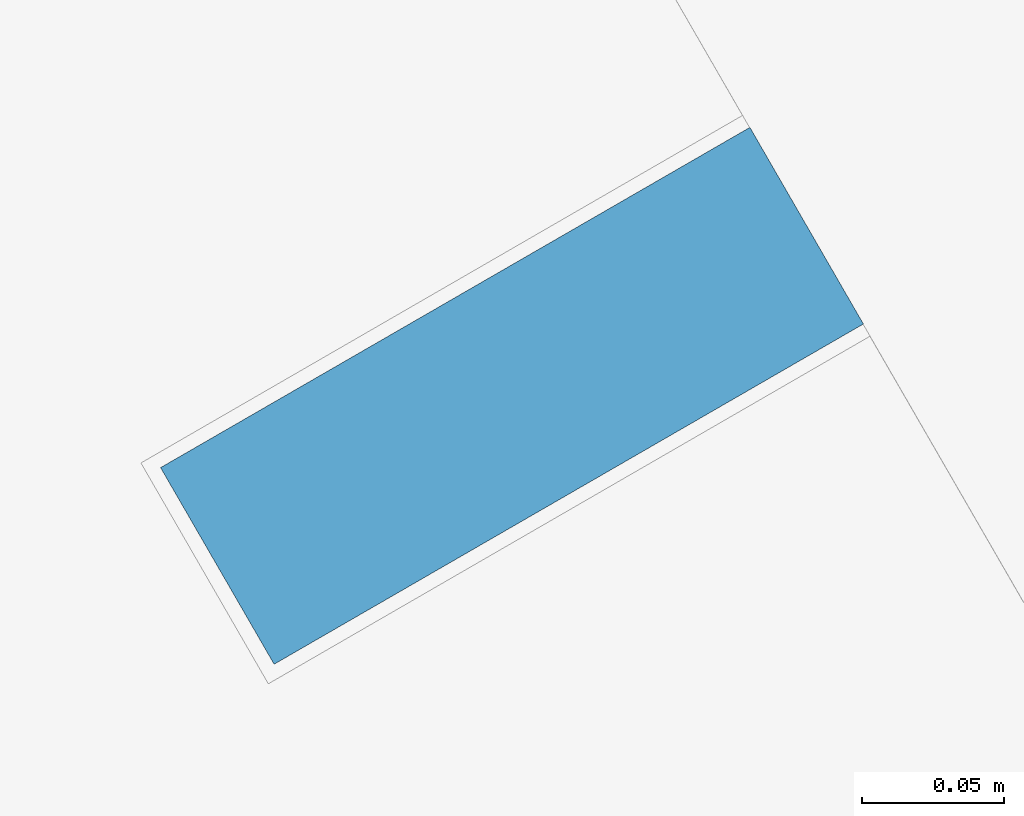
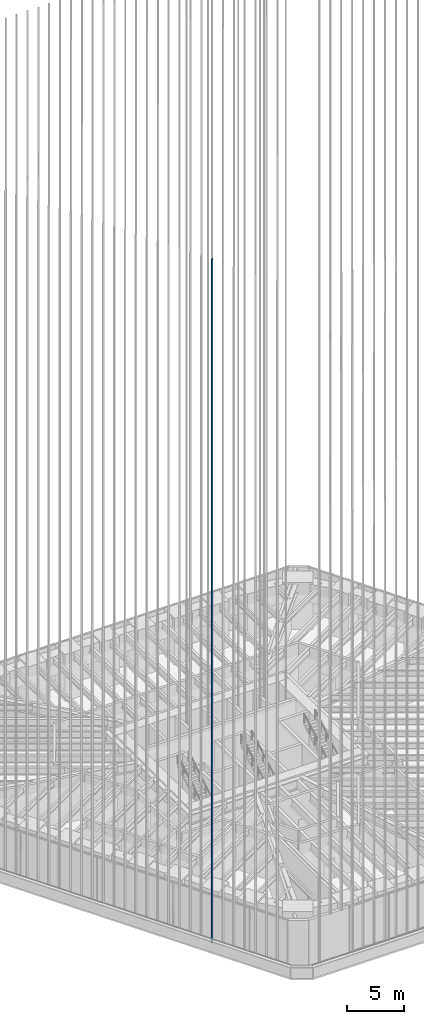
# One storey, part 4 of 228: 1 member, 1 element without a shape of its own.
"""IFC4 building model written with IfcOpenShell, lengths in metres."""

import ifcopenshell
import ifcopenshell.guid

model = None  # the IFC model being written
_history = None  # IfcOwnerHistory: only IFC2X3 demands one
_inside = {}  # id of a spatial element -> (the spatial element, [elements in it])
_under = {}  # id of a project, library or spatial element -> (it, [spatial elements below it])
_declared = {}  # id of a project -> (the project, [libraries it declares])
_typed = {}  # id of a type object -> (the type object, [elements of that type])
_made_of = {}  # id of a material, layer set ... -> (it, [elements and type objects made of it])


def new_model(schema):
    """Start an empty IFC model of exactly this schema.

    Asked for "IFC4X3", IfcOpenShell would pick the latest addendum, in which some entities
    have other attributes; the version numbers below select the first issue.
    IFC2X3 requires an IfcOwnerHistory on every rooted entity: one is made here for all.
    """
    global model, _history
    if schema == "IFC4X3":
        model = ifcopenshell.file(schema_version=(4, 3, 0, 0))
    else:
        model = ifcopenshell.file(schema=schema)
    _inside.clear()
    _under.clear()
    _declared.clear()
    _typed.clear()
    _made_of.clear()
    _history = None
    if model.schema == "IFC2X3":
        org = make("IfcOrganization", Name="unknown")
        user = make(
            "IfcPersonAndOrganization",
            ThePerson=make("IfcPerson", FamilyName="unknown"),
            TheOrganization=org,
        )
        app = make(
            "IfcApplication",
            ApplicationDeveloper=org,
            Version="unknown",
            ApplicationFullName="unknown",
            ApplicationIdentifier="unknown",
        )
        _history = make(
            "IfcOwnerHistory",
            OwningUser=user,
            OwningApplication=app,
            ChangeAction="ADDED",
            CreationDate=0,
        )
    return model


def make(cls, **values):
    """One entity of the class cls with the attributes given. An attribute that is None is left unset."""
    return model.create_entity(
        cls, **{name: value for name, value in values.items() if value is not None}
    )


def rooted(cls, **values):
    """An entity with a GlobalId (a new one), such as an element, a storey or a relation."""
    return make(cls, GlobalId=ifcopenshell.guid.new(), OwnerHistory=_history, **values)


def si_unit(unit_type, name, prefix=None):
    """IfcSIUnit, for example si_unit("LENGTHUNIT", "METRE", prefix="MILLI")."""
    return make("IfcSIUnit", UnitType=unit_type, Prefix=prefix, Name=name)


def assignment(units):
    """IfcUnitAssignment: the units of a project."""
    return None if units is None else make("IfcUnitAssignment", Units=units)


def point(xyz):
    """IfcCartesianPoint."""
    return None if xyz is None else make("IfcCartesianPoint", Coordinates=xyz)


def direction(xyz):
    """IfcDirection."""
    return None if xyz is None else make("IfcDirection", DirectionRatios=xyz)


def frame(location, z_axis=None, x_axis=None):
    """IfcAxis2Placement3D, a coordinate frame: its origin and axes. An axis left out is left unset."""
    return make(
        "IfcAxis2Placement3D",
        Location=point(location),
        Axis=direction(z_axis),
        RefDirection=direction(x_axis),
    )


def frame_2d(location, x_axis=None):
    """IfcAxis2Placement2D, a coordinate frame in the plane: its origin and x axis."""
    return make(
        "IfcAxis2Placement2D", Location=point(location), RefDirection=direction(x_axis)
    )


def origin():
    """The frame at (0, 0, 0) with its axes left unset."""
    return frame((0.0, 0.0, 0.0))


def origin_2d():
    """The frame at (0, 0) in the plane with its x axis left unset."""
    return frame_2d((0.0, 0.0))


def place(relative_to, where):
    """IfcLocalPlacement: puts the frame where relative to a parent placement (None: the world)."""
    return make(
        "IfcLocalPlacement", PlacementRelTo=relative_to, RelativePlacement=where
    )


def context(
    kind, dimensions, precision=None, world=None, true_north=None, identifier=None
):
    """IfcGeometricRepresentationContext, for example the 3D "Model" context."""
    return make(
        "IfcGeometricRepresentationContext",
        ContextIdentifier=identifier,
        ContextType=kind,
        CoordinateSpaceDimension=dimensions,
        Precision=precision,
        WorldCoordinateSystem=world,
        TrueNorth=true_north,
    )


def subcontext(parent, identifier, kind, view, scale=None):
    """IfcGeometricRepresentationSubContext, for example "Body" below "Model"."""
    return make(
        "IfcGeometricRepresentationSubContext",
        ContextIdentifier=identifier,
        ContextType=kind,
        ParentContext=parent,
        TargetScale=scale,
        TargetView=view,
    )


def project(units=None, contexts=None):
    """IfcProject with its units and contexts."""
    return rooted(
        "IfcProject",
        Name="project",
        RepresentationContexts=contexts,
        UnitsInContext=assignment(units),
    )


def spatial(cls, under=None, at=None, **own):
    """A site, building, storey or space (cls), placed at a placement, below another one or the project."""
    s = rooted(cls, ObjectPlacement=at, **own)
    if under is not None:
        _under.setdefault(under.id(), (under, []))[1].append(s)
    return s


def profile(cls, at=None, kind="AREA", **sizes):
    """A parametric profile (cls). Its sizes go by their IFC names, for example OverallWidth=200.0."""
    return make(cls, ProfileType=kind, Position=at, **sizes)


def rectangle(**sizes):
    """IfcRectangleProfileDef."""
    return profile("IfcRectangleProfileDef", **sizes)


def extrude(swept, where, along, depth):
    """IfcExtrudedAreaSolid: the profile swept, set in the frame where, extruded along a direction by depth."""
    return make(
        "IfcExtrudedAreaSolid",
        SweptArea=swept,
        Position=where,
        ExtrudedDirection=direction(along),
        Depth=depth,
    )


def shape(context_of_items, identifier, shape_type, items):
    """IfcShapeRepresentation: the items that make up one representation, for example the "Body"."""
    return make(
        "IfcShapeRepresentation",
        ContextOfItems=context_of_items,
        RepresentationIdentifier=identifier,
        RepresentationType=shape_type,
        Items=items,
    )


def material(Name=None, Category=None):
    """IfcMaterial."""
    return make("IfcMaterial", Name=Name, Category=Category)


def material_profile(
    of_material, cross_section, Name=None, Category=None, Priority=None
):
    """IfcMaterialProfile: a cross section and its material."""
    return make(
        "IfcMaterialProfile",
        Name=Name,
        Material=of_material,
        Profile=cross_section,
        Priority=Priority,
        Category=Category,
    )


def profile_set(profiles, Name=None, composite=None):
    """IfcMaterialProfileSet."""
    return make(
        "IfcMaterialProfileSet",
        Name=Name,
        MaterialProfiles=profiles,
        CompositeProfile=composite,
    )


def made_of(thing, what):
    """Note that an element or type object is made of a material, layer set ...; save() writes the relation."""
    if what is not None:
        _made_of.setdefault(what.id(), (what, []))[1].append(thing)
    return thing


def type_object(cls, material=None, **own):
    """A type object (cls), such as IfcWallType, which elements share."""
    return made_of(rooted(cls, **own), material)


def element(
    cls,
    number,
    at=None,
    inside=None,
    cuts=None,
    type_object=None,
    material=None,
    context=None,
    identifier="Body",
    shape_type=None,
    held_by="IfcProductDefinitionShape",
    body=None,
    shapes=None,
    **own,
):
    """One element of the class cls, such as IfcWall. Its Tag is "e" and its number.

    at: its placement. inside: the storey or other place that contains it. cuts: it is an
    opening in that element (IfcRelVoidsElement). A single representation is given by context,
    identifier, shape_type and body (its items); several are given by shapes. held_by: the class
    of the entity that holds the representations. save() writes the other relations.
    """
    e = rooted(cls, Tag="e%d" % number, ObjectPlacement=at, **own)
    if body is not None:
        shapes = [shape(context, identifier, shape_type, body)]
    if shapes is not None:
        e.Representation = make(held_by, Representations=shapes)
    if inside is not None:
        _inside.setdefault(inside.id(), (inside, []))[1].append(e)
    if cuts is not None:
        rooted(
            "IfcRelVoidsElement", RelatingBuildingElement=cuts, RelatedOpeningElement=e
        )
    if type_object is not None:
        _typed.setdefault(type_object.id(), (type_object, []))[1].append(e)
    return made_of(e, material)


def aggregate(whole, parts):
    """IfcRelAggregates: a whole, such as a stair, and the parts it consists of."""
    return rooted("IfcRelAggregates", RelatingObject=whole, RelatedObjects=parts)


def save(model, path):
    """Write the relations noted so far, then the file.

    IfcRelAggregates (storeys below a building ...), IfcRelContainedInSpatialStructure (elements
    in a storey), IfcRelDefinesByType, IfcRelAssociatesMaterial and IfcRelDeclares: one each for
    every whole, place, type object, material and project.
    """
    for whole, parts in _under.values():
        aggregate(whole, parts)
    for where, things in _inside.values():
        rooted(
            "IfcRelContainedInSpatialStructure",
            RelatedElements=things,
            RelatingStructure=where,
        )
    for kind, things in _typed.values():
        rooted("IfcRelDefinesByType", RelatedObjects=things, RelatingType=kind)
    for what, things in _made_of.values():
        rooted("IfcRelAssociatesMaterial", RelatedObjects=things, RelatingMaterial=what)
    for by, libraries in _declared.values():
        rooted("IfcRelDeclares", RelatingContext=by, RelatedDefinitions=libraries)
    model.write(path)


model = new_model("IFC4")

# Units and contexts
model_context = context("Model", 3, precision=1e-05, world=origin(), true_north=direction((0.0, 1.0)))
body_context = subcontext(model_context, "Body", "Model", "MODEL_VIEW")
ifc_project = project(units=[si_unit("LENGTHUNIT", "METRE"), si_unit("AREAUNIT", "SQUARE_METRE"), si_unit("VOLUMEUNIT", "CUBIC_METRE"), si_unit("PLANEANGLEUNIT", "RADIAN"), si_unit("MASSUNIT", "GRAM", prefix="KILO")], contexts=[model_context])

# Site, building, storey
site_placement = place(None, origin())
site = spatial("IfcSite", under=ifc_project, at=site_placement, CompositionType="ELEMENT")
building_placement = place(site_placement, origin())
building = spatial("IfcBuilding", under=site, at=building_placement, Name="Sandreach Pilgrim Tower", CompositionType="ELEMENT")
storey_placement = place(building_placement, frame((0.0, 0.0, 178.199951171875)))
storey = spatial("IfcBuildingStorey", under=building, at=storey_placement, Name="L44", CompositionType="ELEMENT", Elevation=178.199951171875)

# Curtain wall, member
ifc_material_1 = material(Name="Aluminium framed curtain wall", Category="aluminium")
curtain_wall_type = type_object("IfcCurtainWallType", Name="Upper hotel tower curtain wall", PredefinedType="NOTDEFINED", material=ifc_material_1)
curtain_wall_placement = place(storey_placement, origin())
curtain_wall = element("IfcCurtainWall", 1, at=curtain_wall_placement, inside=storey, type_object=curtain_wall_type, Name="CW-3 L44 SW", PredefinedType="NOTDEFINED")
ifc_material_2 = material(Name="Extruded terracotta on aluminium core", Category="masonry")
ifc_material_profile = material_profile(ifc_material_2, rectangle(XDim=0.080078125, YDim=0.239990234375, at=origin_2d()), Name="TBW 80X240")
ifc_profile_set = profile_set([ifc_material_profile], Name="Extruded terracotta on aluminium core")
member_type = type_object("IfcMemberType", Name="Terracotta baguette west", PredefinedType="USERDEFINED", material=ifc_profile_set)
member_placement = place(storey_placement, frame((-13.729736328125, -19.37939453125, 0.0), z_axis=(0.0, 0.0, 1.0), x_axis=(-0.5, 0.866025403784, 0.0)))
member = element("IfcMember", 2, at=member_placement, type_object=member_type, Name="Baguette Z3 SW07", ObjectType="BAGUETTE", PredefinedType="USERDEFINED", context=body_context, shape_type="SweptSolid", body=[
    extrude(rectangle(XDim=0.080078125, YDim=0.239990234375, at=origin_2d()), origin(), (0.0, 0.0, 1.0), 73.239990234375),
])
aggregate(curtain_wall, [member])

save(model, "model.ifc")
